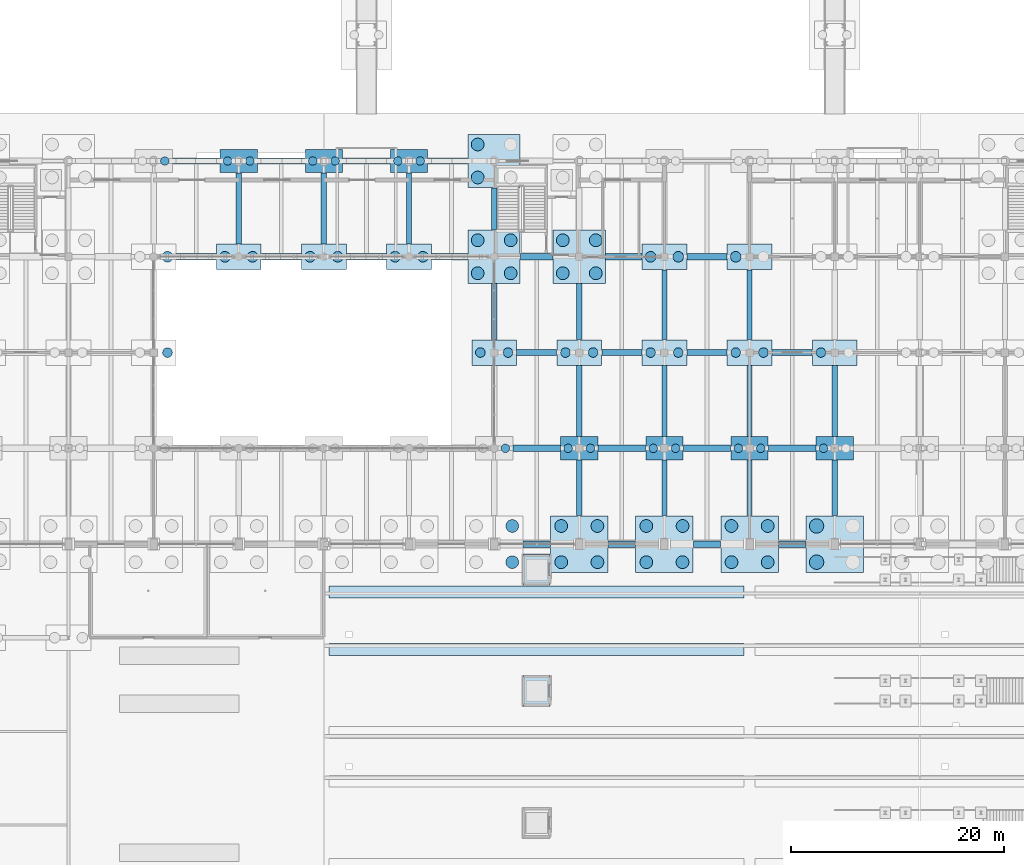
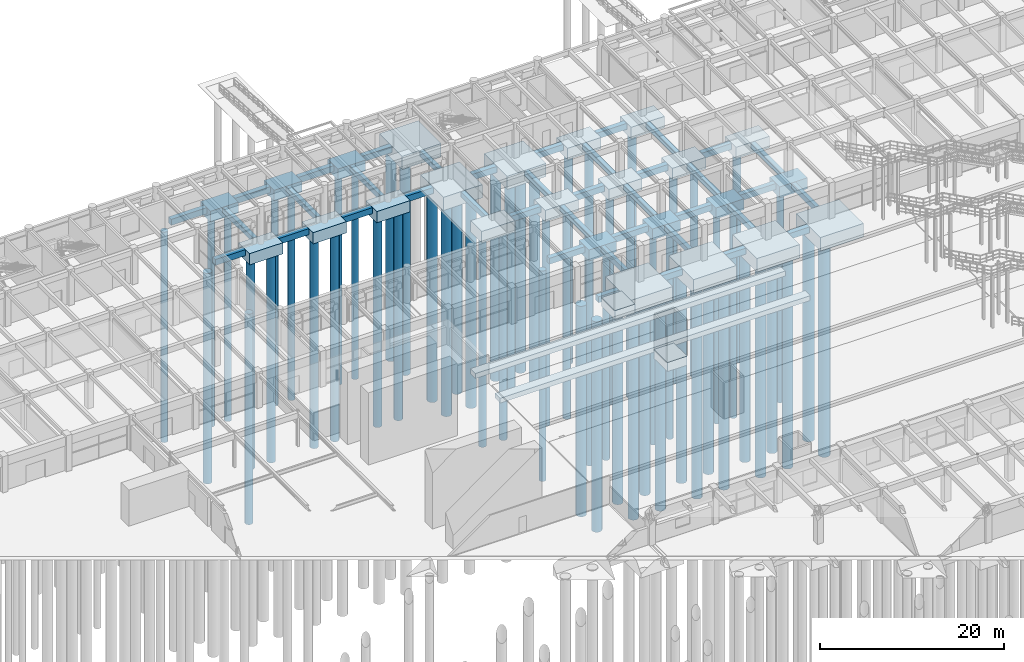
# One storey, part 6 of 147: 67 footings, 61 piles.
"""IFC4 building model written with IfcOpenShell, lengths in metres."""

import ifcopenshell
import ifcopenshell.guid

model = None  # the IFC model being written
_history = None  # IfcOwnerHistory: only IFC2X3 demands one
_inside = {}  # id of a spatial element -> (the spatial element, [elements in it])
_under = {}  # id of a project, library or spatial element -> (it, [spatial elements below it])
_declared = {}  # id of a project -> (the project, [libraries it declares])
_typed = {}  # id of a type object -> (the type object, [elements of that type])
_made_of = {}  # id of a material, layer set ... -> (it, [elements and type objects made of it])


def new_model(schema):
    """Start an empty IFC model of exactly this schema.

    Asked for "IFC4X3", IfcOpenShell would pick the latest addendum, in which some entities
    have other attributes; the version numbers below select the first issue.
    IFC2X3 requires an IfcOwnerHistory on every rooted entity: one is made here for all.
    """
    global model, _history
    if schema == "IFC4X3":
        model = ifcopenshell.file(schema_version=(4, 3, 0, 0))
    else:
        model = ifcopenshell.file(schema=schema)
    _inside.clear()
    _under.clear()
    _declared.clear()
    _typed.clear()
    _made_of.clear()
    _history = None
    if model.schema == "IFC2X3":
        org = make("IfcOrganization", Name="unknown")
        user = make(
            "IfcPersonAndOrganization",
            ThePerson=make("IfcPerson", FamilyName="unknown"),
            TheOrganization=org,
        )
        app = make(
            "IfcApplication",
            ApplicationDeveloper=org,
            Version="unknown",
            ApplicationFullName="unknown",
            ApplicationIdentifier="unknown",
        )
        _history = make(
            "IfcOwnerHistory",
            OwningUser=user,
            OwningApplication=app,
            ChangeAction="ADDED",
            CreationDate=0,
        )
    return model


def make(cls, **values):
    """One entity of the class cls with the attributes given. An attribute that is None is left unset."""
    return model.create_entity(
        cls, **{name: value for name, value in values.items() if value is not None}
    )


def rooted(cls, **values):
    """An entity with a GlobalId (a new one), such as an element, a storey or a relation."""
    return make(cls, GlobalId=ifcopenshell.guid.new(), OwnerHistory=_history, **values)


def si_unit(unit_type, name, prefix=None):
    """IfcSIUnit, for example si_unit("LENGTHUNIT", "METRE", prefix="MILLI")."""
    return make("IfcSIUnit", UnitType=unit_type, Prefix=prefix, Name=name)


def assignment(units):
    """IfcUnitAssignment: the units of a project."""
    return None if units is None else make("IfcUnitAssignment", Units=units)


def point(xyz):
    """IfcCartesianPoint."""
    return None if xyz is None else make("IfcCartesianPoint", Coordinates=xyz)


def direction(xyz):
    """IfcDirection."""
    return None if xyz is None else make("IfcDirection", DirectionRatios=xyz)


def frame(location, z_axis=None, x_axis=None):
    """IfcAxis2Placement3D, a coordinate frame: its origin and axes. An axis left out is left unset."""
    return make(
        "IfcAxis2Placement3D",
        Location=point(location),
        Axis=direction(z_axis),
        RefDirection=direction(x_axis),
    )


def frame_2d(location, x_axis=None):
    """IfcAxis2Placement2D, a coordinate frame in the plane: its origin and x axis."""
    return make(
        "IfcAxis2Placement2D", Location=point(location), RefDirection=direction(x_axis)
    )


def origin():
    """The frame at (0, 0, 0) with its axes left unset."""
    return frame((0.0, 0.0, 0.0))


def origin_2d():
    """The frame at (0, 0) in the plane with its x axis left unset."""
    return frame_2d((0.0, 0.0))


def place(relative_to, where):
    """IfcLocalPlacement: puts the frame where relative to a parent placement (None: the world)."""
    return make(
        "IfcLocalPlacement", PlacementRelTo=relative_to, RelativePlacement=where
    )


def context(
    kind, dimensions, precision=None, world=None, true_north=None, identifier=None
):
    """IfcGeometricRepresentationContext, for example the 3D "Model" context."""
    return make(
        "IfcGeometricRepresentationContext",
        ContextIdentifier=identifier,
        ContextType=kind,
        CoordinateSpaceDimension=dimensions,
        Precision=precision,
        WorldCoordinateSystem=world,
        TrueNorth=true_north,
    )


def subcontext(parent, identifier, kind, view, scale=None):
    """IfcGeometricRepresentationSubContext, for example "Body" below "Model"."""
    return make(
        "IfcGeometricRepresentationSubContext",
        ContextIdentifier=identifier,
        ContextType=kind,
        ParentContext=parent,
        TargetScale=scale,
        TargetView=view,
    )


def project(units=None, contexts=None):
    """IfcProject with its units and contexts."""
    return rooted(
        "IfcProject",
        Name="project",
        RepresentationContexts=contexts,
        UnitsInContext=assignment(units),
    )


def spatial(cls, under=None, at=None, **own):
    """A site, building, storey or space (cls), placed at a placement, below another one or the project."""
    s = rooted(cls, ObjectPlacement=at, **own)
    if under is not None:
        _under.setdefault(under.id(), (under, []))[1].append(s)
    return s


def profile(cls, at=None, kind="AREA", **sizes):
    """A parametric profile (cls). Its sizes go by their IFC names, for example OverallWidth=200.0."""
    return make(cls, ProfileType=kind, Position=at, **sizes)


def rectangle(**sizes):
    """IfcRectangleProfileDef."""
    return profile("IfcRectangleProfileDef", **sizes)


def circle(**sizes):
    """IfcCircleProfileDef."""
    return profile("IfcCircleProfileDef", **sizes)


def extrude(swept, where, along, depth):
    """IfcExtrudedAreaSolid: the profile swept, set in the frame where, extruded along a direction by depth."""
    return make(
        "IfcExtrudedAreaSolid",
        SweptArea=swept,
        Position=where,
        ExtrudedDirection=direction(along),
        Depth=depth,
    )


def shape(context_of_items, identifier, shape_type, items):
    """IfcShapeRepresentation: the items that make up one representation, for example the "Body"."""
    return make(
        "IfcShapeRepresentation",
        ContextOfItems=context_of_items,
        RepresentationIdentifier=identifier,
        RepresentationType=shape_type,
        Items=items,
    )


def material(Name=None, Category=None):
    """IfcMaterial."""
    return make("IfcMaterial", Name=Name, Category=Category)


def layer(
    of_material, thickness, ventilated=None, Name=None, Category=None, Priority=None
):
    """IfcMaterialLayer: one layer of a wall or slab, of a material (None: an air gap)."""
    return make(
        "IfcMaterialLayer",
        Material=of_material,
        LayerThickness=thickness,
        IsVentilated=ventilated,
        Name=Name,
        Category=Category,
        Priority=Priority,
    )


def layer_set(layers, Name=None):
    """IfcMaterialLayerSet."""
    return make("IfcMaterialLayerSet", MaterialLayers=layers, LayerSetName=Name)


def material_profile(
    of_material, cross_section, Name=None, Category=None, Priority=None
):
    """IfcMaterialProfile: a cross section and its material."""
    return make(
        "IfcMaterialProfile",
        Name=Name,
        Material=of_material,
        Profile=cross_section,
        Priority=Priority,
        Category=Category,
    )


def profile_set(profiles, Name=None, composite=None):
    """IfcMaterialProfileSet."""
    return make(
        "IfcMaterialProfileSet",
        Name=Name,
        MaterialProfiles=profiles,
        CompositeProfile=composite,
    )


def made_of(thing, what):
    """Note that an element or type object is made of a material, layer set ...; save() writes the relation."""
    if what is not None:
        _made_of.setdefault(what.id(), (what, []))[1].append(thing)
    return thing


def type_object(cls, material=None, **own):
    """A type object (cls), such as IfcWallType, which elements share."""
    return made_of(rooted(cls, **own), material)


def element(
    cls,
    number,
    at=None,
    inside=None,
    cuts=None,
    type_object=None,
    material=None,
    context=None,
    identifier="Body",
    shape_type=None,
    held_by="IfcProductDefinitionShape",
    body=None,
    shapes=None,
    **own,
):
    """One element of the class cls, such as IfcWall. Its Tag is "e" and its number.

    at: its placement. inside: the storey or other place that contains it. cuts: it is an
    opening in that element (IfcRelVoidsElement). A single representation is given by context,
    identifier, shape_type and body (its items); several are given by shapes. held_by: the class
    of the entity that holds the representations. save() writes the other relations.
    """
    e = rooted(cls, Tag="e%d" % number, ObjectPlacement=at, **own)
    if body is not None:
        shapes = [shape(context, identifier, shape_type, body)]
    if shapes is not None:
        e.Representation = make(held_by, Representations=shapes)
    if inside is not None:
        _inside.setdefault(inside.id(), (inside, []))[1].append(e)
    if cuts is not None:
        rooted(
            "IfcRelVoidsElement", RelatingBuildingElement=cuts, RelatedOpeningElement=e
        )
    if type_object is not None:
        _typed.setdefault(type_object.id(), (type_object, []))[1].append(e)
    return made_of(e, material)


def aggregate(whole, parts):
    """IfcRelAggregates: a whole, such as a stair, and the parts it consists of."""
    return rooted("IfcRelAggregates", RelatingObject=whole, RelatedObjects=parts)


def save(model, path):
    """Write the relations noted so far, then the file.

    IfcRelAggregates (storeys below a building ...), IfcRelContainedInSpatialStructure (elements
    in a storey), IfcRelDefinesByType, IfcRelAssociatesMaterial and IfcRelDeclares: one each for
    every whole, place, type object, material and project.
    """
    for whole, parts in _under.values():
        aggregate(whole, parts)
    for where, things in _inside.values():
        rooted(
            "IfcRelContainedInSpatialStructure",
            RelatedElements=things,
            RelatingStructure=where,
        )
    for kind, things in _typed.values():
        rooted("IfcRelDefinesByType", RelatedObjects=things, RelatingType=kind)
    for what, things in _made_of.values():
        rooted("IfcRelAssociatesMaterial", RelatedObjects=things, RelatingMaterial=what)
    for by, libraries in _declared.values():
        rooted("IfcRelDeclares", RelatingContext=by, RelatedDefinitions=libraries)
    model.write(path)


model = new_model("IFC4")

# Units and contexts
model_context = context("Model", 3, precision=1e-05, world=origin(), true_north=direction((0.0, 1.0)))
body_context = subcontext(model_context, "Body", "Model", "MODEL_VIEW")
ifc_project = project(units=[si_unit("LENGTHUNIT", "METRE"), si_unit("AREAUNIT", "SQUARE_METRE"), si_unit("VOLUMEUNIT", "CUBIC_METRE"), si_unit("PLANEANGLEUNIT", "RADIAN"), si_unit("MASSUNIT", "GRAM", prefix="KILO")], contexts=[model_context])

# Site, building, storey
site_placement = place(None, origin())
site = spatial("IfcSite", under=ifc_project, at=site_placement, CompositionType="ELEMENT")
building_placement = place(site_placement, origin())
building = spatial("IfcBuilding", under=site, at=building_placement, Name="Varnabhumi Central Station", CompositionType="ELEMENT")
storey_placement = place(building_placement, origin())
storey = spatial("IfcBuildingStorey", under=building, at=storey_placement, Name="L00", CompositionType="ELEMENT", Elevation=0.0)

# Footings
ifc_material_1 = material(Name="Concrete M40", Category="concrete")
ifc_layer_1 = layer(ifc_material_1, 1.75, Name="Concrete M40", Category="concrete")
ifc_layer_set_1 = layer_set([ifc_layer_1], Name="Concrete M40")
footing_type_1 = type_object("IfcFootingType", Name="CAP-CORE-6S", PredefinedType="PILE_CAP", material=ifc_layer_set_1)
for number, where, z_axis, x_axis, name in (
    (1, (80.0, 107.0, -2.050048828125), (0.0, 0.0, 1.0), (1.0, 0.0, 0.0), "Pile Cap 11-N"),
    (2, (80.0, 116.0, -2.050048828125), (0.0, 0.0, 1.0), (1.0, 0.0, 0.0), "Pile Cap 11-P"),
    (3, (88.0, 107.0, -2.050048828125), (0.0, 0.0, 1.0), (1.0, 0.0, 0.0), "Pile Cap 12-N"),
):
    element("IfcFooting", number, at=place(storey_placement, frame(where, z_axis=z_axis, x_axis=x_axis)), inside=storey, type_object=footing_type_1, Name=name, PredefinedType="PILE_CAP", context=body_context, shape_type="SweptSolid", body=[
        extrude(rectangle(XDim=4.89990234375, YDim=5.0, at=origin_2d()), origin(), (0.0, 0.0, 1.0), 1.75),
    ])
ifc_layer_2 = layer(ifc_material_1, 1.5, Name="Concrete M40", Category="concrete")
ifc_layer_set_2 = layer_set([ifc_layer_2], Name="Concrete M40")
footing_type_2 = type_object("IfcFootingType", Name="CAP-NORTH-INT", PredefinedType="PILE_CAP", material=ifc_layer_set_2)
for number, where, z_axis, x_axis, name in (
    (4, (56.0, 107.0, -1.800048828125), (0.0, 0.0, 1.0), (1.0, 0.0, 0.0), "Pile Cap 8-N"),
    (5, (64.0, 107.0, -1.800048828125), (0.0, 0.0, 1.0), (1.0, 0.0, 0.0), "Pile Cap 9-N"),
    (6, (72.0, 107.0, -1.800048828125), (0.0, 0.0, 1.0), (1.0, 0.0, 0.0), "Pile Cap 10-N"),
    (7, (80.0, 98.0, -1.800048828125), (0.0, 0.0, 1.0), (1.0, 0.0, 0.0), "Pile Cap 11-M"),
    (8, (88.0, 98.0, -1.800048828125), (0.0, 0.0, 1.0), (1.0, 0.0, 0.0), "Pile Cap 12-M"),
    (9, (96.0, 98.0, -1.800048828125), (0.0, 0.0, 1.0), (1.0, 0.0, 0.0), "Pile Cap 13-M"),
    (10, (96.0, 107.0, -1.800048828125), (0.0, 0.0, 1.0), (1.0, 0.0, 0.0), "Pile Cap 13-N"),
    (11, (104.0, 98.0, -1.800048828125), (0.0, 0.0, 1.0), (1.0, 0.0, 0.0), "Pile Cap 14-M"),
    (12, (104.0, 107.0, -1.800048828125), (0.0, 0.0, 1.0), (1.0, 0.0, 0.0), "Pile Cap 14-N"),
    (13, (112.0, 98.0, -1.800048828125), (0.0, 0.0, 1.0), (1.0, 0.0, 0.0), "Pile Cap 15-M"),
):
    element("IfcFooting", number, at=place(storey_placement, frame(where, z_axis=z_axis, x_axis=x_axis)), inside=storey, type_object=footing_type_2, Name=name, PredefinedType="PILE_CAP", context=body_context, shape_type="SweptSolid", body=[
        extrude(rectangle(XDim=4.199951171875, YDim=2.39990234375, at=origin_2d()), origin(), (0.0, 0.0, 1.0), 1.5),
    ])
ifc_layer_3 = layer(ifc_material_1, 1.449951171875, Name="Concrete M40", Category="concrete")
ifc_layer_set_3 = layer_set([ifc_layer_3], Name="Concrete M40")
footing_type_3 = type_object("IfcFootingType", Name="CAP-NORTH-PER", PredefinedType="PILE_CAP", material=ifc_layer_set_3)
for number, where, z_axis, x_axis, name in (
    (14, (56.0, 116.0, -1.75), (0.0, 0.0, 1.0), (1.0, 0.0, 0.0), "Pile Cap 8-P"),
    (15, (64.0, 116.0, -1.75), (0.0, 0.0, 1.0), (1.0, 0.0, 0.0), "Pile Cap 9-P"),
    (16, (72.0, 116.0, -1.75), (0.0, 0.0, 1.0), (1.0, 0.0, 0.0), "Pile Cap 10-P"),
    (17, (88.0, 89.0, -1.75), (0.0, 0.0, 1.0), (1.0, 0.0, 0.0), "Pile Cap 12-L"),
    (18, (96.0, 89.0, -1.75), (0.0, 0.0, 1.0), (1.0, 0.0, 0.0), "Pile Cap 13-L"),
    (19, (104.0, 89.0, -1.75), (0.0, 0.0, 1.0), (1.0, 0.0, 0.0), "Pile Cap 14-L"),
    (20, (112.0, 89.0, -1.75), (0.0, 0.0, 1.0), (1.0, 0.0, 0.0), "Pile Cap 15-L"),
):
    element("IfcFooting", number, at=place(storey_placement, frame(where, z_axis=z_axis, x_axis=x_axis)), inside=storey, type_object=footing_type_3, Name=name, PredefinedType="PILE_CAP", context=body_context, shape_type="SweptSolid", body=[
        extrude(rectangle(XDim=3.5, YDim=2.199951171875, at=origin_2d()), origin(), (0.0, 0.0, 1.0), 1.449951171875),
    ])
ifc_layer_4 = layer(ifc_material_1, 1.800048828125, Name="Concrete M40", Category="concrete")
ifc_layer_set_4 = layer_set([ifc_layer_4], Name="Concrete M40")
footing_type_4 = type_object("IfcFootingType", Name="CAP-SPINE-HVY", PredefinedType="PILE_CAP", material=ifc_layer_set_4)
for number, where, z_axis, x_axis, name in (
    (21, (88.0, 80.0, -2.10009765625), (0.0, 0.0, 1.0), (1.0, 0.0, 0.0), "Pile Cap 12-K"),
    (22, (96.0, 80.0, -2.10009765625), (0.0, 0.0, 1.0), (1.0, 0.0, 0.0), "Pile Cap 13-K"),
    (23, (104.0, 80.0, -2.10009765625), (0.0, 0.0, 1.0), (1.0, 0.0, 0.0), "Pile Cap 14-K"),
    (24, (112.0, 80.0, -2.10009765625), (0.0, 0.0, 1.0), (1.0, 0.0, 0.0), "Pile Cap 15-K"),
):
    element("IfcFooting", number, at=place(storey_placement, frame(where, z_axis=z_axis, x_axis=x_axis)), inside=storey, type_object=footing_type_4, Name=name, PredefinedType="PILE_CAP", context=body_context, shape_type="SweptSolid", body=[
        extrude(rectangle(XDim=5.39990234375, YDim=5.300048828125, at=origin_2d()), origin(), (0.0, 0.0, 1.0), 1.800048828125),
    ])
footing_type_5 = type_object("IfcFootingType", Name="FTG-STRIP-PLAT", PredefinedType="STRIP_FOOTING", material=ifc_material_1)
for number, where, z_axis, x_axis, name in (
    (25, (84.0, 70.10009765625, -1.905029296875), (0.0, 0.0, 1.0), (1.0, 0.0, 0.0), "Platform Strip Footing PLAT-3-2-0"),
    (26, (84.0, 75.5, -1.905029296875), (0.0, 0.0, 1.0), (1.0, 0.0, 0.0), "Platform Strip Footing PLAT-4-1-0"),
):
    element("IfcFooting", number, at=place(storey_placement, frame(where, z_axis=z_axis, x_axis=x_axis)), inside=storey, type_object=footing_type_5, Name=name, PredefinedType="STRIP_FOOTING", context=body_context, shape_type="SweptSolid", body=[
        extrude(rectangle(XDim=39.0, YDim=1.10009765625, at=origin_2d()), origin(), (0.0, 0.0, 1.0), 0.64990234375),
    ])
for number, where, z_axis, x_axis, name in (
    (27, (84.0, 66.199951171875, -1.2001953125), (0.0, 0.0, 1.0), (1.0, 0.0, 0.0), "Lift Shaft Foundation Pad PL-3"),
    (28, (84.0, 77.60009765625, -1.2001953125), (0.0, 0.0, 1.0), (1.0, 0.0, 0.0), "Lift Shaft Foundation Pad PL-4"),
):
    element("IfcFooting", number, at=place(storey_placement, frame(where, z_axis=z_axis, x_axis=x_axis)), inside=storey, type_object=footing_type_5, Name=name, PredefinedType="STRIP_FOOTING", context=body_context, shape_type="SweptSolid", body=[
        extrude(rectangle(XDim=2.5, YDim=2.89990234375, at=origin_2d()), origin(), (0.0, 0.0, 1.0), 1.199951171875),
    ])
footing_type_6 = type_object("IfcFootingType", Name="FTG-TIE-500x700", PredefinedType="FOOTING_BEAM", material=ifc_material_1)
for number, where, z_axis, x_axis, name in (
    (29, (56.0, 111.550048828125, -1.0), (0.0, 0.0, 1.0), (1.0, 0.0, 0.0), "Plinth Tie Beam 8:N-P"),
    (30, (64.0, 111.550048828125, -1.0), (0.0, 0.0, 1.0), (1.0, 0.0, 0.0), "Plinth Tie Beam 9:N-P"),
    (31, (72.0, 111.550048828125, -1.0), (0.0, 0.0, 1.0), (1.0, 0.0, 0.0), "Plinth Tie Beam 10:N-P"),
):
    element("IfcFooting", number, at=place(storey_placement, frame(where, z_axis=z_axis, x_axis=x_axis)), inside=storey, type_object=footing_type_6, Name=name, PredefinedType="FOOTING_BEAM", context=body_context, shape_type="SweptSolid", body=[
        extrude(rectangle(XDim=0.5, YDim=6.659912109375, at=origin_2d()), origin(), (0.0, 0.0, 1.0), 0.699951171875),
    ])
footing_1_placement = place(storey_placement, frame((80.0, 101.85009765625, -1.0), z_axis=(0.0, 0.0, 1.0), x_axis=(1.0, 0.0, 0.0)))
element("IfcFooting", 32, at=footing_1_placement, inside=storey, type_object=footing_type_6, Name="Plinth Tie Beam 11:M-N", PredefinedType="FOOTING_BEAM", context=body_context, shape_type="SweptSolid", body=[
    extrude(rectangle(XDim=0.5, YDim=5.260009765625, at=origin_2d()), origin(), (0.0, 0.0, 1.0), 0.699951171875),
])
footing_2_placement = place(storey_placement, frame((80.0, 111.5, -1.0), z_axis=(0.0, 0.0, 1.0), x_axis=(1.0, 0.0, 0.0)))
element("IfcFooting", 33, at=footing_2_placement, inside=storey, type_object=footing_type_6, Name="Plinth Tie Beam 11:N-P", PredefinedType="FOOTING_BEAM", context=body_context, shape_type="SweptSolid", body=[
    extrude(rectangle(XDim=0.5, YDim=3.9599609375, at=origin_2d()), origin(), (0.0, 0.0, 1.0), 0.699951171875),
])
footing_3_placement = place(storey_placement, frame((88.0, 85.27490234375, -1.0), z_axis=(0.0, 0.0, 1.0), x_axis=(1.0, 0.0, 0.0)))
element("IfcFooting", 34, at=footing_3_placement, inside=storey, type_object=footing_type_6, Name="Plinth Tie Beam 12:K-L", PredefinedType="FOOTING_BEAM", context=body_context, shape_type="SweptSolid", body=[
    extrude(rectangle(XDim=0.5, YDim=5.2099609375, at=origin_2d()), origin(), (0.0, 0.0, 1.0), 0.699951171875),
])
footing_4_placement = place(storey_placement, frame((88.0, 93.449951171875, -1.0), z_axis=(0.0, 0.0, 1.0), x_axis=(1.0, 0.0, 0.0)))
element("IfcFooting", 35, at=footing_4_placement, inside=storey, type_object=footing_type_6, Name="Plinth Tie Beam 12:L-M", PredefinedType="FOOTING_BEAM", context=body_context, shape_type="SweptSolid", body=[
    extrude(rectangle(XDim=0.5, YDim=6.659912109375, at=origin_2d()), origin(), (0.0, 0.0, 1.0), 0.699951171875),
])
footing_5_placement = place(storey_placement, frame((88.0, 101.85009765625, -1.0), z_axis=(0.0, 0.0, 1.0), x_axis=(1.0, 0.0, 0.0)))
element("IfcFooting", 36, at=footing_5_placement, inside=storey, type_object=footing_type_6, Name="Plinth Tie Beam 12:M-N", PredefinedType="FOOTING_BEAM", context=body_context, shape_type="SweptSolid", body=[
    extrude(rectangle(XDim=0.5, YDim=5.260009765625, at=origin_2d()), origin(), (0.0, 0.0, 1.0), 0.699951171875),
])
footing_6_placement = place(storey_placement, frame((96.0, 85.27490234375, -1.0), z_axis=(0.0, 0.0, 1.0), x_axis=(1.0, 0.0, 0.0)))
element("IfcFooting", 37, at=footing_6_placement, inside=storey, type_object=footing_type_6, Name="Plinth Tie Beam 13:K-L", PredefinedType="FOOTING_BEAM", context=body_context, shape_type="SweptSolid", body=[
    extrude(rectangle(XDim=0.5, YDim=5.2099609375, at=origin_2d()), origin(), (0.0, 0.0, 1.0), 0.699951171875),
])
footing_7_placement = place(storey_placement, frame((96.0, 93.449951171875, -1.0), z_axis=(0.0, 0.0, 1.0), x_axis=(1.0, 0.0, 0.0)))
element("IfcFooting", 38, at=footing_7_placement, inside=storey, type_object=footing_type_6, Name="Plinth Tie Beam 13:L-M", PredefinedType="FOOTING_BEAM", context=body_context, shape_type="SweptSolid", body=[
    extrude(rectangle(XDim=0.5, YDim=6.659912109375, at=origin_2d()), origin(), (0.0, 0.0, 1.0), 0.699951171875),
])
footing_8_placement = place(storey_placement, frame((96.0, 102.5, -1.0), z_axis=(0.0, 0.0, 1.0), x_axis=(1.0, 0.0, 0.0)))
element("IfcFooting", 39, at=footing_8_placement, inside=storey, type_object=footing_type_6, Name="Plinth Tie Beam 13:M-N", PredefinedType="FOOTING_BEAM", context=body_context, shape_type="SweptSolid", body=[
    extrude(rectangle(XDim=0.5, YDim=6.56005859375, at=origin_2d()), origin(), (0.0, 0.0, 1.0), 0.699951171875),
])
footing_9_placement = place(storey_placement, frame((104.0, 85.27490234375, -1.0), z_axis=(0.0, 0.0, 1.0), x_axis=(1.0, 0.0, 0.0)))
element("IfcFooting", 40, at=footing_9_placement, inside=storey, type_object=footing_type_6, Name="Plinth Tie Beam 14:K-L", PredefinedType="FOOTING_BEAM", context=body_context, shape_type="SweptSolid", body=[
    extrude(rectangle(XDim=0.5, YDim=5.2099609375, at=origin_2d()), origin(), (0.0, 0.0, 1.0), 0.699951171875),
])
footing_10_placement = place(storey_placement, frame((104.0, 93.449951171875, -1.0), z_axis=(0.0, 0.0, 1.0), x_axis=(1.0, 0.0, 0.0)))
element("IfcFooting", 41, at=footing_10_placement, inside=storey, type_object=footing_type_6, Name="Plinth Tie Beam 14:L-M", PredefinedType="FOOTING_BEAM", context=body_context, shape_type="SweptSolid", body=[
    extrude(rectangle(XDim=0.5, YDim=6.659912109375, at=origin_2d()), origin(), (0.0, 0.0, 1.0), 0.699951171875),
])
footing_11_placement = place(storey_placement, frame((104.0, 102.5, -1.0), z_axis=(0.0, 0.0, 1.0), x_axis=(1.0, 0.0, 0.0)))
element("IfcFooting", 42, at=footing_11_placement, inside=storey, type_object=footing_type_6, Name="Plinth Tie Beam 14:M-N", PredefinedType="FOOTING_BEAM", context=body_context, shape_type="SweptSolid", body=[
    extrude(rectangle(XDim=0.5, YDim=6.56005859375, at=origin_2d()), origin(), (0.0, 0.0, 1.0), 0.699951171875),
])
footing_12_placement = place(storey_placement, frame((112.0, 85.27490234375, -1.0), z_axis=(0.0, 0.0, 1.0), x_axis=(1.0, 0.0, 0.0)))
element("IfcFooting", 43, at=footing_12_placement, inside=storey, type_object=footing_type_6, Name="Plinth Tie Beam 15:K-L", PredefinedType="FOOTING_BEAM", context=body_context, shape_type="SweptSolid", body=[
    extrude(rectangle(XDim=0.5, YDim=5.2099609375, at=origin_2d()), origin(), (0.0, 0.0, 1.0), 0.699951171875),
])
footing_13_placement = place(storey_placement, frame((112.0, 93.449951171875, -1.0), z_axis=(0.0, 0.0, 1.0), x_axis=(1.0, 0.0, 0.0)))
element("IfcFooting", 44, at=footing_13_placement, inside=storey, type_object=footing_type_6, Name="Plinth Tie Beam 15:L-M", PredefinedType="FOOTING_BEAM", context=body_context, shape_type="SweptSolid", body=[
    extrude(rectangle(XDim=0.5, YDim=6.659912109375, at=origin_2d()), origin(), (0.0, 0.0, 1.0), 0.699951171875),
])
footing_type_7 = type_object("IfcFootingType", Name="FTG-TIE-600x800", PredefinedType="FOOTING_BEAM", material=ifc_material_1)
footing_14_placement = place(storey_placement, frame((52.0, 107.0, -1.10009765625), z_axis=(0.0, 0.0, 1.0), x_axis=(1.0, 0.0, 0.0)))
element("IfcFooting", 45, at=footing_14_placement, inside=storey, type_object=footing_type_7, Name="Plinth Tie Beam N:7-8", PredefinedType="FOOTING_BEAM", context=body_context, shape_type="SweptSolid", body=[
    extrude(rectangle(XDim=3.760009765625, YDim=0.60009765625, at=origin_2d()), origin(), (0.0, 0.0, 1.0), 0.800048828125),
])
footing_15_placement = place(storey_placement, frame((52.0, 116.0, -1.10009765625), z_axis=(0.0, 0.0, 1.0), x_axis=(1.0, 0.0, 0.0)))
element("IfcFooting", 46, at=footing_15_placement, inside=storey, type_object=footing_type_7, Name="Plinth Tie Beam P:7-8", PredefinedType="FOOTING_BEAM", context=body_context, shape_type="SweptSolid", body=[
    extrude(rectangle(XDim=4.4599609375, YDim=0.60009765625, at=origin_2d()), origin(), (0.0, 0.0, 1.0), 0.800048828125),
])
footing_16_placement = place(storey_placement, frame((60.0, 107.0, -1.10009765625), z_axis=(0.0, 0.0, 1.0), x_axis=(1.0, 0.0, 0.0)))
element("IfcFooting", 47, at=footing_16_placement, inside=storey, type_object=footing_type_7, Name="Plinth Tie Beam N:8-9", PredefinedType="FOOTING_BEAM", context=body_context, shape_type="SweptSolid", body=[
    extrude(rectangle(XDim=3.760009765625, YDim=0.60009765625, at=origin_2d()), origin(), (0.0, 0.0, 1.0), 0.800048828125),
])
footing_17_placement = place(storey_placement, frame((60.0, 116.0, -1.10009765625), z_axis=(0.0, 0.0, 1.0), x_axis=(1.0, 0.0, 0.0)))
element("IfcFooting", 48, at=footing_17_placement, inside=storey, type_object=footing_type_7, Name="Plinth Tie Beam P:8-9", PredefinedType="FOOTING_BEAM", context=body_context, shape_type="SweptSolid", body=[
    extrude(rectangle(XDim=4.4599609375, YDim=0.60009765625, at=origin_2d()), origin(), (0.0, 0.0, 1.0), 0.800048828125),
])
footing_18_placement = place(storey_placement, frame((68.0, 107.0, -1.10009765625), z_axis=(0.0, 0.0, 1.0), x_axis=(1.0, 0.0, 0.0)))
element("IfcFooting", 49, at=footing_18_placement, inside=storey, type_object=footing_type_7, Name="Plinth Tie Beam N:9-10", PredefinedType="FOOTING_BEAM", context=body_context, shape_type="SweptSolid", body=[
    extrude(rectangle(XDim=3.760009765625, YDim=0.60009765625, at=origin_2d()), origin(), (0.0, 0.0, 1.0), 0.800048828125),
])
footing_19_placement = place(storey_placement, frame((68.0, 116.0, -1.10009765625), z_axis=(0.0, 0.0, 1.0), x_axis=(1.0, 0.0, 0.0)))
element("IfcFooting", 50, at=footing_19_placement, inside=storey, type_object=footing_type_7, Name="Plinth Tie Beam P:9-10", PredefinedType="FOOTING_BEAM", context=body_context, shape_type="SweptSolid", body=[
    extrude(rectangle(XDim=4.4599609375, YDim=0.60009765625, at=origin_2d()), origin(), (0.0, 0.0, 1.0), 0.800048828125),
])
footing_20_placement = place(storey_placement, frame((75.824951171875, 107.0, -1.10009765625), z_axis=(0.0, 0.0, 1.0), x_axis=(1.0, 0.0, 0.0)))
element("IfcFooting", 51, at=footing_20_placement, inside=storey, type_object=footing_type_7, Name="Plinth Tie Beam N:10-11", PredefinedType="FOOTING_BEAM", context=body_context, shape_type="SweptSolid", body=[
    extrude(rectangle(XDim=3.409912109375, YDim=0.60009765625, at=origin_2d()), origin(), (0.0, 0.0, 1.0), 0.800048828125),
])
footing_21_placement = place(storey_placement, frame((75.64990234375, 116.0, -1.10009765625), z_axis=(0.0, 0.0, 1.0), x_axis=(1.0, 0.0, 0.0)))
element("IfcFooting", 52, at=footing_21_placement, inside=storey, type_object=footing_type_7, Name="Plinth Tie Beam P:10-11", PredefinedType="FOOTING_BEAM", context=body_context, shape_type="SweptSolid", body=[
    extrude(rectangle(XDim=3.760009765625, YDim=0.60009765625, at=origin_2d()), origin(), (0.0, 0.0, 1.0), 0.800048828125),
])
footing_22_placement = place(storey_placement, frame((84.0, 80.0, -1.10009765625), z_axis=(0.0, 0.0, 1.0), x_axis=(1.0, 0.0, 0.0)))
element("IfcFooting", 53, at=footing_22_placement, inside=storey, type_object=footing_type_7, Name="Plinth Tie Beam K:11-12", PredefinedType="FOOTING_BEAM", context=body_context, shape_type="SweptSolid", body=[
    extrude(rectangle(XDim=2.56005859375, YDim=0.60009765625, at=origin_2d()), origin(), (0.0, 0.0, 1.0), 0.800048828125),
])
footing_23_placement = place(storey_placement, frame((84.0, 89.0, -1.10009765625), z_axis=(0.0, 0.0, 1.0), x_axis=(1.0, 0.0, 0.0)))
element("IfcFooting", 54, at=footing_23_placement, inside=storey, type_object=footing_type_7, Name="Plinth Tie Beam L:11-12", PredefinedType="FOOTING_BEAM", context=body_context, shape_type="SweptSolid", body=[
    extrude(rectangle(XDim=4.4599609375, YDim=0.60009765625, at=origin_2d()), origin(), (0.0, 0.0, 1.0), 0.800048828125),
])
footing_24_placement = place(storey_placement, frame((84.0, 98.0, -1.10009765625), z_axis=(0.0, 0.0, 1.0), x_axis=(1.0, 0.0, 0.0)))
element("IfcFooting", 55, at=footing_24_placement, inside=storey, type_object=footing_type_7, Name="Plinth Tie Beam M:11-12", PredefinedType="FOOTING_BEAM", context=body_context, shape_type="SweptSolid", body=[
    extrude(rectangle(XDim=3.760009765625, YDim=0.60009765625, at=origin_2d()), origin(), (0.0, 0.0, 1.0), 0.800048828125),
])
footing_25_placement = place(storey_placement, frame((84.0, 107.0, -1.10009765625), z_axis=(0.0, 0.0, 1.0), x_axis=(1.0, 0.0, 0.0)))
element("IfcFooting", 56, at=footing_25_placement, inside=storey, type_object=footing_type_7, Name="Plinth Tie Beam N:11-12", PredefinedType="FOOTING_BEAM", context=body_context, shape_type="SweptSolid", body=[
    extrude(rectangle(XDim=3.06005859375, YDim=0.60009765625, at=origin_2d()), origin(), (0.0, 0.0, 1.0), 0.800048828125),
])
footing_26_placement = place(storey_placement, frame((92.0, 80.0, -1.10009765625), z_axis=(0.0, 0.0, 1.0), x_axis=(1.0, 0.0, 0.0)))
element("IfcFooting", 57, at=footing_26_placement, inside=storey, type_object=footing_type_7, Name="Plinth Tie Beam K:12-13", PredefinedType="FOOTING_BEAM", context=body_context, shape_type="SweptSolid", body=[
    extrude(rectangle(XDim=2.56005859375, YDim=0.60009765625, at=origin_2d()), origin(), (0.0, 0.0, 1.0), 0.800048828125),
])
footing_27_placement = place(storey_placement, frame((92.0, 89.0, -1.10009765625), z_axis=(0.0, 0.0, 1.0), x_axis=(1.0, 0.0, 0.0)))
element("IfcFooting", 58, at=footing_27_placement, inside=storey, type_object=footing_type_7, Name="Plinth Tie Beam L:12-13", PredefinedType="FOOTING_BEAM", context=body_context, shape_type="SweptSolid", body=[
    extrude(rectangle(XDim=4.4599609375, YDim=0.60009765625, at=origin_2d()), origin(), (0.0, 0.0, 1.0), 0.800048828125),
])
footing_28_placement = place(storey_placement, frame((92.0, 98.0, -1.10009765625), z_axis=(0.0, 0.0, 1.0), x_axis=(1.0, 0.0, 0.0)))
element("IfcFooting", 59, at=footing_28_placement, inside=storey, type_object=footing_type_7, Name="Plinth Tie Beam M:12-13", PredefinedType="FOOTING_BEAM", context=body_context, shape_type="SweptSolid", body=[
    extrude(rectangle(XDim=3.760009765625, YDim=0.60009765625, at=origin_2d()), origin(), (0.0, 0.0, 1.0), 0.800048828125),
])
footing_29_placement = place(storey_placement, frame((92.175048828125, 107.0, -1.10009765625), z_axis=(0.0, 0.0, 1.0), x_axis=(1.0, 0.0, 0.0)))
element("IfcFooting", 60, at=footing_29_placement, inside=storey, type_object=footing_type_7, Name="Plinth Tie Beam N:12-13", PredefinedType="FOOTING_BEAM", context=body_context, shape_type="SweptSolid", body=[
    extrude(rectangle(XDim=3.409912109375, YDim=0.60009765625, at=origin_2d()), origin(), (0.0, 0.0, 1.0), 0.800048828125),
])
footing_30_placement = place(storey_placement, frame((100.0, 80.0, -1.10009765625), z_axis=(0.0, 0.0, 1.0), x_axis=(1.0, 0.0, 0.0)))
element("IfcFooting", 61, at=footing_30_placement, inside=storey, type_object=footing_type_7, Name="Plinth Tie Beam K:13-14", PredefinedType="FOOTING_BEAM", context=body_context, shape_type="SweptSolid", body=[
    extrude(rectangle(XDim=2.56005859375, YDim=0.60009765625, at=origin_2d()), origin(), (0.0, 0.0, 1.0), 0.800048828125),
])
footing_31_placement = place(storey_placement, frame((100.0, 89.0, -1.10009765625), z_axis=(0.0, 0.0, 1.0), x_axis=(1.0, 0.0, 0.0)))
element("IfcFooting", 62, at=footing_31_placement, inside=storey, type_object=footing_type_7, Name="Plinth Tie Beam L:13-14", PredefinedType="FOOTING_BEAM", context=body_context, shape_type="SweptSolid", body=[
    extrude(rectangle(XDim=4.4599609375, YDim=0.60009765625, at=origin_2d()), origin(), (0.0, 0.0, 1.0), 0.800048828125),
])
for number, where, z_axis, x_axis, name in (
    (63, (100.0, 98.0, -1.10009765625), (0.0, 0.0, 1.0), (1.0, 0.0, 0.0), "Plinth Tie Beam M:13-14"),
    (64, (100.0, 107.0, -1.10009765625), (0.0, 0.0, 1.0), (1.0, 0.0, 0.0), "Plinth Tie Beam N:13-14"),
):
    element("IfcFooting", number, at=place(storey_placement, frame(where, z_axis=z_axis, x_axis=x_axis)), inside=storey, type_object=footing_type_7, Name=name, PredefinedType="FOOTING_BEAM", context=body_context, shape_type="SweptSolid", body=[
        extrude(rectangle(XDim=3.760009765625, YDim=0.60009765625, at=origin_2d()), origin(), (0.0, 0.0, 1.0), 0.800048828125),
    ])
footing_32_placement = place(storey_placement, frame((108.0, 80.0, -1.10009765625), z_axis=(0.0, 0.0, 1.0), x_axis=(1.0, 0.0, 0.0)))
element("IfcFooting", 65, at=footing_32_placement, inside=storey, type_object=footing_type_7, Name="Plinth Tie Beam K:14-15", PredefinedType="FOOTING_BEAM", context=body_context, shape_type="SweptSolid", body=[
    extrude(rectangle(XDim=2.56005859375, YDim=0.60009765625, at=origin_2d()), origin(), (0.0, 0.0, 1.0), 0.800048828125),
])
footing_33_placement = place(storey_placement, frame((108.0, 89.0, -1.10009765625), z_axis=(0.0, 0.0, 1.0), x_axis=(1.0, 0.0, 0.0)))
element("IfcFooting", 66, at=footing_33_placement, inside=storey, type_object=footing_type_7, Name="Plinth Tie Beam L:14-15", PredefinedType="FOOTING_BEAM", context=body_context, shape_type="SweptSolid", body=[
    extrude(rectangle(XDim=4.4599609375, YDim=0.60009765625, at=origin_2d()), origin(), (0.0, 0.0, 1.0), 0.800048828125),
])
footing_34_placement = place(storey_placement, frame((108.0, 98.0, -1.10009765625), z_axis=(0.0, 0.0, 1.0), x_axis=(1.0, 0.0, 0.0)))
element("IfcFooting", 67, at=footing_34_placement, inside=storey, type_object=footing_type_7, Name="Plinth Tie Beam M:14-15", PredefinedType="FOOTING_BEAM", context=body_context, shape_type="SweptSolid", body=[
    extrude(rectangle(XDim=3.760009765625, YDim=0.60009765625, at=origin_2d()), origin(), (0.0, 0.0, 1.0), 0.800048828125),
])

# Piles
ifc_material_2 = material(Name="Concrete M35", Category="concrete")
ifc_material_profile_1 = material_profile(ifc_material_2, circle(Radius=0.5, at=origin_2d()), Name="Concrete M35", Category="concrete")
ifc_profile_set_1 = profile_set([ifc_material_profile_1], Name="Concrete M35")
pile_type_1 = type_object("IfcPileType", Name="PILE-D1000", PredefinedType="BORED", material=ifc_profile_set_1)
for number, where, z_axis, x_axis, name in (
    (68, (49.300048828125, 107.0, -1.699951171875), (0.0, 0.0, -1.0), (1.0, 0.0, 0.0), "Bored Pile 7-N-P2"),
    (69, (54.699951171875, 107.0, -1.699951171875), (0.0, 0.0, -1.0), (1.0, 0.0, 0.0), "Bored Pile 8-N-P1"),
    (70, (57.300048828125, 107.0, -1.699951171875), (0.0, 0.0, -1.0), (1.0, 0.0, 0.0), "Bored Pile 8-N-P2"),
    (71, (62.699951171875, 107.0, -1.699951171875), (0.0, 0.0, -1.0), (1.0, 0.0, 0.0), "Bored Pile 9-N-P1"),
    (72, (65.300048828125, 107.0, -1.699951171875), (0.0, 0.0, -1.0), (1.0, 0.0, 0.0), "Bored Pile 9-N-P2"),
    (73, (70.699951171875, 107.0, -1.699951171875), (0.0, 0.0, -1.0), (1.0, 0.0, 0.0), "Bored Pile 10-N-P1"),
    (74, (73.300048828125, 107.0, -1.699951171875), (0.0, 0.0, -1.0), (1.0, 0.0, 0.0), "Bored Pile 10-N-P2"),
    (75, (94.699951171875, 107.0, -1.699951171875), (0.0, 0.0, -1.0), (1.0, 0.0, 0.0), "Bored Pile 13-N-P1"),
    (76, (97.300048828125, 107.0, -1.699951171875), (0.0, 0.0, -1.0), (1.0, 0.0, 0.0), "Bored Pile 13-N-P2"),
    (77, (102.699951171875, 107.0, -1.699951171875), (0.0, 0.0, -1.0), (1.0, 0.0, 0.0), "Bored Pile 14-N-P1"),
):
    element("IfcPile", number, at=place(storey_placement, frame(where, z_axis=z_axis, x_axis=x_axis)), inside=storey, type_object=pile_type_1, Name=name, PredefinedType="BORED", context=body_context, shape_type="SweptSolid", body=[
        extrude(circle(Radius=0.5, at=origin_2d()), origin(), (0.0, 0.0, 1.0), 28.0),
    ])
ifc_material_profile_2 = material_profile(ifc_material_2, circle(Radius=0.60009765625, at=origin_2d()), Name="Concrete M35", Category="concrete")
ifc_profile_set_2 = profile_set([ifc_material_profile_2], Name="Concrete M35")
pile_type_2 = type_object("IfcPileType", Name="PILE-D1200", PredefinedType="BORED", material=ifc_profile_set_2)
for number, where, z_axis, x_axis, name in (
    (78, (81.699951171875, 78.300048828125, -2.0), (0.0, 0.0, -1.0), (1.0, 0.0, 0.0), "Bored Pile 11-K-P2"),
    (79, (81.699951171875, 81.699951171875, -2.0), (0.0, 0.0, -1.0), (1.0, 0.0, 0.0), "Bored Pile 11-K-P4"),
    (80, (78.449951171875, 105.449951171875, -1.949951171875), (0.0, 0.0, -1.0), (1.0, 0.0, 0.0), "Bored Pile 11-N-P1"),
    (81, (81.550048828125, 105.449951171875, -1.949951171875), (0.0, 0.0, -1.0), (1.0, 0.0, 0.0), "Bored Pile 11-N-P2"),
    (82, (78.449951171875, 108.550048828125, -1.949951171875), (0.0, 0.0, -1.0), (1.0, 0.0, 0.0), "Bored Pile 11-N-P3"),
    (83, (81.550048828125, 108.550048828125, -1.949951171875), (0.0, 0.0, -1.0), (1.0, 0.0, 0.0), "Bored Pile 11-N-P4"),
    (84, (78.449951171875, 114.449951171875, -1.949951171875), (0.0, 0.0, -1.0), (1.0, 0.0, 0.0), "Bored Pile 11-P-P1"),
    (85, (78.449951171875, 117.550048828125, -1.949951171875), (0.0, 0.0, -1.0), (1.0, 0.0, 0.0), "Bored Pile 11-P-P3"),
    (86, (86.300048828125, 78.300048828125, -2.0), (0.0, 0.0, -1.0), (1.0, 0.0, 0.0), "Bored Pile 12-K-P1"),
    (87, (89.699951171875, 78.300048828125, -2.0), (0.0, 0.0, -1.0), (1.0, 0.0, 0.0), "Bored Pile 12-K-P2"),
    (88, (86.300048828125, 81.699951171875, -2.0), (0.0, 0.0, -1.0), (1.0, 0.0, 0.0), "Bored Pile 12-K-P3"),
    (89, (89.699951171875, 81.699951171875, -2.0), (0.0, 0.0, -1.0), (1.0, 0.0, 0.0), "Bored Pile 12-K-P4"),
    (90, (86.449951171875, 105.449951171875, -1.949951171875), (0.0, 0.0, -1.0), (1.0, 0.0, 0.0), "Bored Pile 12-N-P1"),
    (91, (89.550048828125, 105.449951171875, -1.949951171875), (0.0, 0.0, -1.0), (1.0, 0.0, 0.0), "Bored Pile 12-N-P2"),
    (92, (86.449951171875, 108.550048828125, -1.949951171875), (0.0, 0.0, -1.0), (1.0, 0.0, 0.0), "Bored Pile 12-N-P3"),
    (93, (89.550048828125, 108.550048828125, -1.949951171875), (0.0, 0.0, -1.0), (1.0, 0.0, 0.0), "Bored Pile 12-N-P4"),
    (94, (94.300048828125, 78.300048828125, -2.0), (0.0, 0.0, -1.0), (1.0, 0.0, 0.0), "Bored Pile 13-K-P1"),
    (95, (97.699951171875, 78.300048828125, -2.0), (0.0, 0.0, -1.0), (1.0, 0.0, 0.0), "Bored Pile 13-K-P2"),
    (96, (94.300048828125, 81.699951171875, -2.0), (0.0, 0.0, -1.0), (1.0, 0.0, 0.0), "Bored Pile 13-K-P3"),
    (97, (97.699951171875, 81.699951171875, -2.0), (0.0, 0.0, -1.0), (1.0, 0.0, 0.0), "Bored Pile 13-K-P4"),
    (98, (102.300048828125, 78.300048828125, -2.0), (0.0, 0.0, -1.0), (1.0, 0.0, 0.0), "Bored Pile 14-K-P1"),
    (99, (105.699951171875, 78.300048828125, -2.0), (0.0, 0.0, -1.0), (1.0, 0.0, 0.0), "Bored Pile 14-K-P2"),
    (100, (102.300048828125, 81.699951171875, -2.0), (0.0, 0.0, -1.0), (1.0, 0.0, 0.0), "Bored Pile 14-K-P3"),
    (101, (105.699951171875, 81.699951171875, -2.0), (0.0, 0.0, -1.0), (1.0, 0.0, 0.0), "Bored Pile 14-K-P4"),
):
    element("IfcPile", number, at=place(storey_placement, frame(where, z_axis=z_axis, x_axis=x_axis)), inside=storey, type_object=pile_type_2, Name=name, PredefinedType="BORED", context=body_context, shape_type="SweptSolid", body=[
        extrude(circle(Radius=0.60009765625, at=origin_2d()), origin(), (0.0, 0.0, 1.0), 28.0),
    ])
ifc_material_profile_3 = material_profile(ifc_material_2, circle(Radius=0.675048828125, at=origin_2d()), Name="Concrete M35", Category="concrete")
ifc_profile_set_3 = profile_set([ifc_material_profile_3], Name="Concrete M35")
pile_type_3 = type_object("IfcPileType", Name="PILE-D1350", PredefinedType="BORED", material=ifc_profile_set_3)
for number, where, z_axis, x_axis, name in (
    (102, (110.300048828125, 78.300048828125, -2.0), (0.0, 0.0, -1.0), (1.0, 0.0, 0.0), "Bored Pile 15-K-P1"),
    (103, (110.300048828125, 81.699951171875, -2.0), (0.0, 0.0, -1.0), (1.0, 0.0, 0.0), "Bored Pile 15-K-P3"),
):
    element("IfcPile", number, at=place(storey_placement, frame(where, z_axis=z_axis, x_axis=x_axis)), inside=storey, type_object=pile_type_3, Name=name, PredefinedType="BORED", context=body_context, shape_type="SweptSolid", body=[
        extrude(circle(Radius=0.675048828125, at=origin_2d()), origin(), (0.0, 0.0, 1.0), 28.0),
    ])
ifc_material_profile_4 = material_profile(ifc_material_2, circle(Radius=0.39990234375, at=origin_2d()), Name="Concrete M35", Category="concrete")
ifc_profile_set_4 = profile_set([ifc_material_profile_4], Name="Concrete M35")
pile_type_4 = type_object("IfcPileType", Name="PILE-D800", PredefinedType="BORED", material=ifc_profile_set_4)
for number, where, z_axis, x_axis, name in (
    (104, (49.050048828125, 116.0, -1.64990234375), (0.0, 0.0, -1.0), (1.0, 0.0, 0.0), "Bored Pile 7-P-P2"),
    (105, (54.949951171875, 116.0, -1.64990234375), (0.0, 0.0, -1.0), (1.0, 0.0, 0.0), "Bored Pile 8-P-P1"),
    (106, (57.050048828125, 116.0, -1.64990234375), (0.0, 0.0, -1.0), (1.0, 0.0, 0.0), "Bored Pile 8-P-P2"),
    (107, (62.949951171875, 116.0, -1.64990234375), (0.0, 0.0, -1.0), (1.0, 0.0, 0.0), "Bored Pile 9-P-P1"),
    (108, (65.050048828125, 116.0, -1.64990234375), (0.0, 0.0, -1.0), (1.0, 0.0, 0.0), "Bored Pile 9-P-P2"),
    (109, (70.949951171875, 116.0, -1.64990234375), (0.0, 0.0, -1.0), (1.0, 0.0, 0.0), "Bored Pile 10-P-P1"),
    (110, (73.050048828125, 116.0, -1.64990234375), (0.0, 0.0, -1.0), (1.0, 0.0, 0.0), "Bored Pile 10-P-P2"),
    (111, (81.050048828125, 89.0, -1.64990234375), (0.0, 0.0, -1.0), (1.0, 0.0, 0.0), "Bored Pile 11-L-P2"),
    (112, (86.949951171875, 89.0, -1.64990234375), (0.0, 0.0, -1.0), (1.0, 0.0, 0.0), "Bored Pile 12-L-P1"),
    (113, (89.050048828125, 89.0, -1.64990234375), (0.0, 0.0, -1.0), (1.0, 0.0, 0.0), "Bored Pile 12-L-P2"),
    (114, (94.949951171875, 89.0, -1.64990234375), (0.0, 0.0, -1.0), (1.0, 0.0, 0.0), "Bored Pile 13-L-P1"),
    (115, (97.050048828125, 89.0, -1.64990234375), (0.0, 0.0, -1.0), (1.0, 0.0, 0.0), "Bored Pile 13-L-P2"),
    (116, (102.949951171875, 89.0, -1.64990234375), (0.0, 0.0, -1.0), (1.0, 0.0, 0.0), "Bored Pile 14-L-P1"),
    (117, (105.050048828125, 89.0, -1.64990234375), (0.0, 0.0, -1.0), (1.0, 0.0, 0.0), "Bored Pile 14-L-P2"),
    (118, (110.949951171875, 89.0, -1.64990234375), (0.0, 0.0, -1.0), (1.0, 0.0, 0.0), "Bored Pile 15-L-P1"),
):
    element("IfcPile", number, at=place(storey_placement, frame(where, z_axis=z_axis, x_axis=x_axis)), inside=storey, type_object=pile_type_4, Name=name, PredefinedType="BORED", context=body_context, shape_type="SweptSolid", body=[
        extrude(circle(Radius=0.39990234375, at=origin_2d()), origin(), (0.0, 0.0, 1.0), 28.0),
    ])
ifc_material_profile_5 = material_profile(ifc_material_2, circle(Radius=0.449951171875, at=origin_2d()), Name="Concrete M35", Category="concrete")
ifc_profile_set_5 = profile_set([ifc_material_profile_5], Name="Concrete M35")
pile_type_5 = type_object("IfcPileType", Name="PILE-D900", PredefinedType="BORED", material=ifc_profile_set_5)
for number, where, z_axis, x_axis, name in (
    (119, (49.300048828125, 98.0, -1.699951171875), (0.0, 0.0, -1.0), (1.0, 0.0, 0.0), "Bored Pile 7-M-P2"),
    (120, (78.699951171875, 98.0, -1.699951171875), (0.0, 0.0, -1.0), (1.0, 0.0, 0.0), "Bored Pile 11-M-P1"),
    (121, (81.300048828125, 98.0, -1.699951171875), (0.0, 0.0, -1.0), (1.0, 0.0, 0.0), "Bored Pile 11-M-P2"),
    (122, (86.699951171875, 98.0, -1.699951171875), (0.0, 0.0, -1.0), (1.0, 0.0, 0.0), "Bored Pile 12-M-P1"),
    (123, (89.300048828125, 98.0, -1.699951171875), (0.0, 0.0, -1.0), (1.0, 0.0, 0.0), "Bored Pile 12-M-P2"),
    (124, (94.699951171875, 98.0, -1.699951171875), (0.0, 0.0, -1.0), (1.0, 0.0, 0.0), "Bored Pile 13-M-P1"),
    (125, (97.300048828125, 98.0, -1.699951171875), (0.0, 0.0, -1.0), (1.0, 0.0, 0.0), "Bored Pile 13-M-P2"),
    (126, (102.699951171875, 98.0, -1.699951171875), (0.0, 0.0, -1.0), (1.0, 0.0, 0.0), "Bored Pile 14-M-P1"),
    (127, (105.300048828125, 98.0, -1.699951171875), (0.0, 0.0, -1.0), (1.0, 0.0, 0.0), "Bored Pile 14-M-P2"),
    (128, (110.699951171875, 98.0, -1.699951171875), (0.0, 0.0, -1.0), (1.0, 0.0, 0.0), "Bored Pile 15-M-P1"),
):
    element("IfcPile", number, at=place(storey_placement, frame(where, z_axis=z_axis, x_axis=x_axis)), inside=storey, type_object=pile_type_5, Name=name, PredefinedType="BORED", context=body_context, shape_type="SweptSolid", body=[
        extrude(circle(Radius=0.449951171875, at=origin_2d()), origin(), (0.0, 0.0, 1.0), 28.0),
    ])

save(model, "model.ifc")
